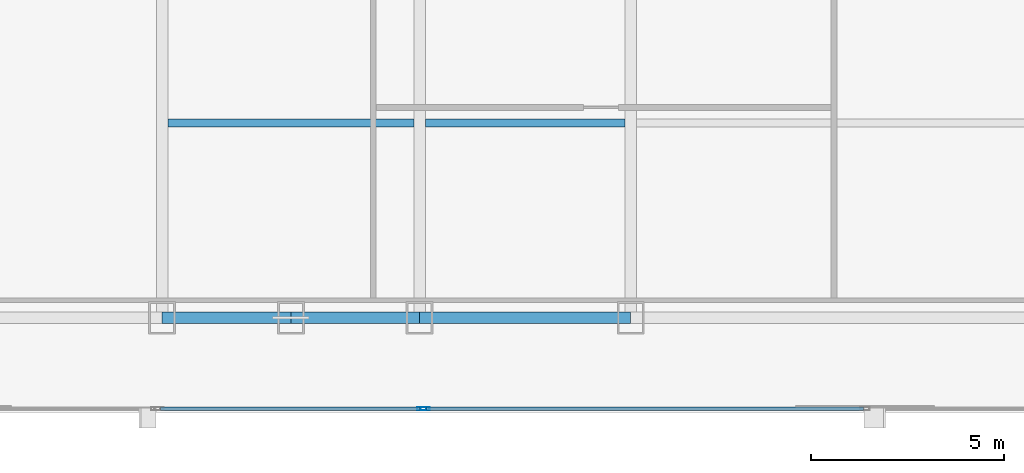
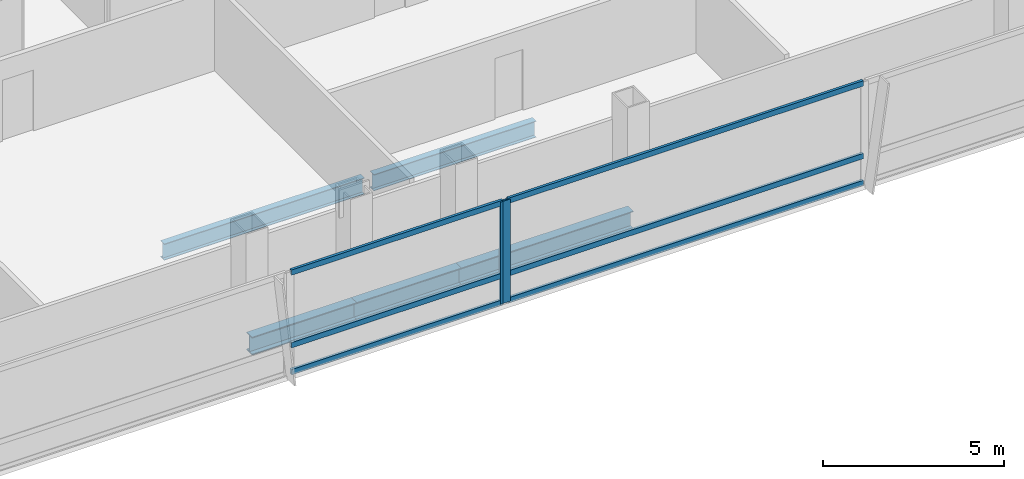
# One storey, part 8 of 32: 8 members, 5 beams, 2 elements without a shape of their own.
"""IFC4 building model written with IfcOpenShell, lengths in metres."""

import ifcopenshell
import ifcopenshell.guid

model = None  # the IFC model being written
_history = None  # IfcOwnerHistory: only IFC2X3 demands one
_inside = {}  # id of a spatial element -> (the spatial element, [elements in it])
_under = {}  # id of a project, library or spatial element -> (it, [spatial elements below it])
_declared = {}  # id of a project -> (the project, [libraries it declares])
_typed = {}  # id of a type object -> (the type object, [elements of that type])
_made_of = {}  # id of a material, layer set ... -> (it, [elements and type objects made of it])


def new_model(schema):
    """Start an empty IFC model of exactly this schema.

    Asked for "IFC4X3", IfcOpenShell would pick the latest addendum, in which some entities
    have other attributes; the version numbers below select the first issue.
    IFC2X3 requires an IfcOwnerHistory on every rooted entity: one is made here for all.
    """
    global model, _history
    if schema == "IFC4X3":
        model = ifcopenshell.file(schema_version=(4, 3, 0, 0))
    else:
        model = ifcopenshell.file(schema=schema)
    _inside.clear()
    _under.clear()
    _declared.clear()
    _typed.clear()
    _made_of.clear()
    _history = None
    if model.schema == "IFC2X3":
        org = make("IfcOrganization", Name="unknown")
        user = make(
            "IfcPersonAndOrganization",
            ThePerson=make("IfcPerson", FamilyName="unknown"),
            TheOrganization=org,
        )
        app = make(
            "IfcApplication",
            ApplicationDeveloper=org,
            Version="unknown",
            ApplicationFullName="unknown",
            ApplicationIdentifier="unknown",
        )
        _history = make(
            "IfcOwnerHistory",
            OwningUser=user,
            OwningApplication=app,
            ChangeAction="ADDED",
            CreationDate=0,
        )
    return model


def make(cls, **values):
    """One entity of the class cls with the attributes given. An attribute that is None is left unset."""
    return model.create_entity(
        cls, **{name: value for name, value in values.items() if value is not None}
    )


def rooted(cls, **values):
    """An entity with a GlobalId (a new one), such as an element, a storey or a relation."""
    return make(cls, GlobalId=ifcopenshell.guid.new(), OwnerHistory=_history, **values)


def si_unit(unit_type, name, prefix=None):
    """IfcSIUnit, for example si_unit("LENGTHUNIT", "METRE", prefix="MILLI")."""
    return make("IfcSIUnit", UnitType=unit_type, Prefix=prefix, Name=name)


def assignment(units):
    """IfcUnitAssignment: the units of a project."""
    return None if units is None else make("IfcUnitAssignment", Units=units)


def point(xyz):
    """IfcCartesianPoint."""
    return None if xyz is None else make("IfcCartesianPoint", Coordinates=xyz)


def direction(xyz):
    """IfcDirection."""
    return None if xyz is None else make("IfcDirection", DirectionRatios=xyz)


def frame(location, z_axis=None, x_axis=None):
    """IfcAxis2Placement3D, a coordinate frame: its origin and axes. An axis left out is left unset."""
    return make(
        "IfcAxis2Placement3D",
        Location=point(location),
        Axis=direction(z_axis),
        RefDirection=direction(x_axis),
    )


def frame_2d(location, x_axis=None):
    """IfcAxis2Placement2D, a coordinate frame in the plane: its origin and x axis."""
    return make(
        "IfcAxis2Placement2D", Location=point(location), RefDirection=direction(x_axis)
    )


def origin():
    """The frame at (0, 0, 0) with its axes left unset."""
    return frame((0.0, 0.0, 0.0))


def origin_2d():
    """The frame at (0, 0) in the plane with its x axis left unset."""
    return frame_2d((0.0, 0.0))


def place(relative_to, where):
    """IfcLocalPlacement: puts the frame where relative to a parent placement (None: the world)."""
    return make(
        "IfcLocalPlacement", PlacementRelTo=relative_to, RelativePlacement=where
    )


def context(
    kind, dimensions, precision=None, world=None, true_north=None, identifier=None
):
    """IfcGeometricRepresentationContext, for example the 3D "Model" context."""
    return make(
        "IfcGeometricRepresentationContext",
        ContextIdentifier=identifier,
        ContextType=kind,
        CoordinateSpaceDimension=dimensions,
        Precision=precision,
        WorldCoordinateSystem=world,
        TrueNorth=true_north,
    )


def subcontext(parent, identifier, kind, view, scale=None):
    """IfcGeometricRepresentationSubContext, for example "Body" below "Model"."""
    return make(
        "IfcGeometricRepresentationSubContext",
        ContextIdentifier=identifier,
        ContextType=kind,
        ParentContext=parent,
        TargetScale=scale,
        TargetView=view,
    )


def project(units=None, contexts=None):
    """IfcProject with its units and contexts."""
    return rooted(
        "IfcProject",
        Name="project",
        RepresentationContexts=contexts,
        UnitsInContext=assignment(units),
    )


def spatial(cls, under=None, at=None, **own):
    """A site, building, storey or space (cls), placed at a placement, below another one or the project."""
    s = rooted(cls, ObjectPlacement=at, **own)
    if under is not None:
        _under.setdefault(under.id(), (under, []))[1].append(s)
    return s


def profile(cls, at=None, kind="AREA", **sizes):
    """A parametric profile (cls). Its sizes go by their IFC names, for example OverallWidth=200.0."""
    return make(cls, ProfileType=kind, Position=at, **sizes)


def hollow_rectangle(**sizes):
    """IfcRectangleHollowProfileDef."""
    return profile("IfcRectangleHollowProfileDef", **sizes)


def i_section(**sizes):
    """IfcIShapeProfileDef."""
    return profile("IfcIShapeProfileDef", **sizes)


def extrude(swept, where, along, depth):
    """IfcExtrudedAreaSolid: the profile swept, set in the frame where, extruded along a direction by depth."""
    return make(
        "IfcExtrudedAreaSolid",
        SweptArea=swept,
        Position=where,
        ExtrudedDirection=direction(along),
        Depth=depth,
    )


def shape(context_of_items, identifier, shape_type, items):
    """IfcShapeRepresentation: the items that make up one representation, for example the "Body"."""
    return make(
        "IfcShapeRepresentation",
        ContextOfItems=context_of_items,
        RepresentationIdentifier=identifier,
        RepresentationType=shape_type,
        Items=items,
    )


def material(Name=None, Category=None):
    """IfcMaterial."""
    return make("IfcMaterial", Name=Name, Category=Category)


def material_profile(
    of_material, cross_section, Name=None, Category=None, Priority=None
):
    """IfcMaterialProfile: a cross section and its material."""
    return make(
        "IfcMaterialProfile",
        Name=Name,
        Material=of_material,
        Profile=cross_section,
        Priority=Priority,
        Category=Category,
    )


def profile_set(profiles, Name=None, composite=None):
    """IfcMaterialProfileSet."""
    return make(
        "IfcMaterialProfileSet",
        Name=Name,
        MaterialProfiles=profiles,
        CompositeProfile=composite,
    )


def made_of(thing, what):
    """Note that an element or type object is made of a material, layer set ...; save() writes the relation."""
    if what is not None:
        _made_of.setdefault(what.id(), (what, []))[1].append(thing)
    return thing


def type_object(cls, material=None, **own):
    """A type object (cls), such as IfcWallType, which elements share."""
    return made_of(rooted(cls, **own), material)


def element(
    cls,
    number,
    at=None,
    inside=None,
    cuts=None,
    type_object=None,
    material=None,
    context=None,
    identifier="Body",
    shape_type=None,
    held_by="IfcProductDefinitionShape",
    body=None,
    shapes=None,
    **own,
):
    """One element of the class cls, such as IfcWall. Its Tag is "e" and its number.

    at: its placement. inside: the storey or other place that contains it. cuts: it is an
    opening in that element (IfcRelVoidsElement). A single representation is given by context,
    identifier, shape_type and body (its items); several are given by shapes. held_by: the class
    of the entity that holds the representations. save() writes the other relations.
    """
    e = rooted(cls, Tag="e%d" % number, ObjectPlacement=at, **own)
    if body is not None:
        shapes = [shape(context, identifier, shape_type, body)]
    if shapes is not None:
        e.Representation = make(held_by, Representations=shapes)
    if inside is not None:
        _inside.setdefault(inside.id(), (inside, []))[1].append(e)
    if cuts is not None:
        rooted(
            "IfcRelVoidsElement", RelatingBuildingElement=cuts, RelatedOpeningElement=e
        )
    if type_object is not None:
        _typed.setdefault(type_object.id(), (type_object, []))[1].append(e)
    return made_of(e, material)


def aggregate(whole, parts):
    """IfcRelAggregates: a whole, such as a stair, and the parts it consists of."""
    return rooted("IfcRelAggregates", RelatingObject=whole, RelatedObjects=parts)


def save(model, path):
    """Write the relations noted so far, then the file.

    IfcRelAggregates (storeys below a building ...), IfcRelContainedInSpatialStructure (elements
    in a storey), IfcRelDefinesByType, IfcRelAssociatesMaterial and IfcRelDeclares: one each for
    every whole, place, type object, material and project.
    """
    for whole, parts in _under.values():
        aggregate(whole, parts)
    for where, things in _inside.values():
        rooted(
            "IfcRelContainedInSpatialStructure",
            RelatedElements=things,
            RelatingStructure=where,
        )
    for kind, things in _typed.values():
        rooted("IfcRelDefinesByType", RelatedObjects=things, RelatingType=kind)
    for what, things in _made_of.values():
        rooted("IfcRelAssociatesMaterial", RelatedObjects=things, RelatingMaterial=what)
    for by, libraries in _declared.values():
        rooted("IfcRelDeclares", RelatingContext=by, RelatedDefinitions=libraries)
    model.write(path)


model = new_model("IFC4")

# Units and contexts
model_context = context("Model", 3, precision=1e-05, world=origin(), true_north=direction((0.0, 1.0)))
body_context = subcontext(model_context, "Body", "Model", "MODEL_VIEW")
ifc_project = project(units=[si_unit("LENGTHUNIT", "METRE"), si_unit("AREAUNIT", "SQUARE_METRE"), si_unit("VOLUMEUNIT", "CUBIC_METRE"), si_unit("PLANEANGLEUNIT", "RADIAN"), si_unit("MASSUNIT", "GRAM", prefix="KILO")], contexts=[model_context])

# Site, building, storey
site_placement = place(None, origin())
site = spatial("IfcSite", under=ifc_project, at=site_placement, CompositionType="ELEMENT")
building_placement = place(site_placement, origin())
building = spatial("IfcBuilding", under=site, at=building_placement, Name="Khoronbel Lancet Exchange", CompositionType="ELEMENT")
storey_placement = place(building_placement, frame((0.0, 0.0, 125.39990234375)))
storey = spatial("IfcBuildingStorey", under=building, at=storey_placement, Name="L30", CompositionType="ELEMENT", Elevation=125.39990234375)

# Beams
ifc_material_1 = material(Name="Steel S355", Category="steel")
ifc_material_profile_1 = material_profile(ifc_material_1, i_section(OverallWidth=0.2099609375, OverallDepth=0.550048828125, WebThickness=0.010986328125, FlangeThickness=0.01708984375, at=origin_2d()), Name="IPE 550")
ifc_profile_set_1 = profile_set([ifc_material_profile_1], Name="Steel S355")
beam_type_1 = type_object("IfcBeamType", Name="BM-BJ2", PredefinedType="JOIST", material=ifc_profile_set_1)
beam_1_placement = place(storey_placement, frame((18.375, 15.199951171875, -0.434814453125), z_axis=(1.0, 0.0, 0.0), x_axis=(0.0, 1.0, 0.0)))
element("IfcBeam", 1, at=beam_1_placement, inside=storey, type_object=beam_type_1, Name="Level L30 secondary composite joist J01", PredefinedType="JOIST", context=body_context, shape_type="SweptSolid", body=[
    extrude(i_section(OverallWidth=0.2099609375, OverallDepth=0.550048828125, WebThickness=0.010986328125, FlangeThickness=0.01708984375, at=origin_2d()), origin(), (0.0, 0.0, 1.0), 6.375),
])
beam_2_placement = place(storey_placement, frame((25.050048828125, 15.199951171875, -0.434814453125), z_axis=(1.0, 0.0, 0.0), x_axis=(0.0, 1.0, 0.0)))
element("IfcBeam", 2, at=beam_2_placement, inside=storey, type_object=beam_type_1, Name="Level L30 secondary composite joist J02", PredefinedType="JOIST", context=body_context, shape_type="SweptSolid", body=[
    extrude(i_section(OverallWidth=0.2099609375, OverallDepth=0.550048828125, WebThickness=0.010986328125, FlangeThickness=0.01708984375, at=origin_2d()), origin(), (0.0, 0.0, 1.0), 5.175048828125),
])
ifc_material_profile_2 = material_profile(ifc_material_1, i_section(OverallWidth=0.300048828125, OverallDepth=0.60009765625, WebThickness=0.015380859375, FlangeThickness=0.030029296875, at=origin_2d()), Name="HEB 600")
ifc_profile_set_2 = profile_set([ifc_material_profile_2], Name="Steel S355")
beam_type_2 = type_object("IfcBeamType", Name="BM-BSP2", PredefinedType="SPANDREL", material=ifc_profile_set_2)
for number, where, z_axis, x_axis, name in (
    (3, (18.22509765625, 10.14990234375, -0.4599609375), (1.0, 0.0, 0.0), (0.0, 1.0, 0.0), "Level L30 perimeter spandrel beam SP02"),
    (4, (21.5625, 10.14990234375, -0.4599609375), (1.0, 0.0, 0.0), (0.0, 1.0, 0.0), "Level L30 perimeter spandrel beam SP03"),
):
    element("IfcBeam", number, at=place(storey_placement, frame(where, z_axis=z_axis, x_axis=x_axis)), inside=storey, type_object=beam_type_2, Name=name, PredefinedType="SPANDREL", context=body_context, shape_type="SweptSolid", body=[
        extrude(i_section(OverallWidth=0.300048828125, OverallDepth=0.60009765625, WebThickness=0.015380859375, FlangeThickness=0.030029296875, at=origin_2d()), origin(), (0.0, 0.0, 1.0), 3.33740234375),
    ])
beam_3_placement = place(storey_placement, frame((24.89990234375, 10.14990234375, -0.4599609375), z_axis=(1.0, 0.0, 0.0), x_axis=(0.0, 1.0, 0.0)))
element("IfcBeam", 5, at=beam_3_placement, inside=storey, type_object=beam_type_2, Name="Level L30 perimeter spandrel beam SP04", PredefinedType="SPANDREL", context=body_context, shape_type="SweptSolid", body=[
    extrude(i_section(OverallWidth=0.300048828125, OverallDepth=0.60009765625, WebThickness=0.015380859375, FlangeThickness=0.030029296875, at=origin_2d()), origin(), (0.0, 0.0, 1.0), 5.47509765625),
])

# Curtain wall, member
ifc_material_2 = material(Name="Low-E Solar Control Insulating Glass", Category="glass")
curtain_wall_type = type_object("IfcCurtainWallType", Name="CW-2", PredefinedType="NOTDEFINED", material=ifc_material_2)
curtain_wall_1_placement = place(storey_placement, origin())
curtain_wall_1 = element("IfcCurtainWall", 6, at=curtain_wall_1_placement, inside=storey, type_object=curtain_wall_type, Name="Unitised curtain wall CW-L30-SWB", PredefinedType="NOTDEFINED")
ifc_material_3 = material(Name="Bronze-Anodised Aluminium 6063-T6", Category="aluminium")
ifc_material_profile_3 = material_profile(ifc_material_3, hollow_rectangle(XDim=0.0849609375, YDim=0.239990234375, WallThickness=0.006103515625, at=origin_2d()), Name="ALU MULLION 85x240")
ifc_profile_set_3 = profile_set([ifc_material_profile_3], Name="Bronze-Anodised Aluminium 6063-T6")
member_type_1 = type_object("IfcMemberType", Name="MEM-CWM1", PredefinedType="MULLION", material=ifc_profile_set_3)
member_1_placement = place(storey_placement, frame((24.95751953125, 7.7900390625, 0.0), z_axis=(0.0, 0.0, 1.0), x_axis=(0.0, 1.0, 0.0)))
member_1 = element("IfcMember", 7, at=member_1_placement, type_object=member_type_1, Name="CW2 mullion 2", PredefinedType="MULLION", context=body_context, shape_type="SweptSolid", body=[
    extrude(hollow_rectangle(XDim=0.0849609375, YDim=0.239990234375, WallThickness=0.006103515625, at=origin_2d()), origin(), (0.0, 0.0, 1.0), 3.440185546875),
])

curtain_wall_2_placement = place(storey_placement, origin())
curtain_wall_2 = element("IfcCurtainWall", 8, at=curtain_wall_2_placement, inside=storey, type_object=curtain_wall_type, Name="Unitised curtain wall CW-L30-SCV", PredefinedType="NOTDEFINED")
member_2_placement = place(storey_placement, frame((25.04248046875, 7.7900390625, 0.0), z_axis=(0.0, 0.0, 1.0), x_axis=(0.0, 1.0, 0.0)))
member_2 = element("IfcMember", 9, at=member_2_placement, type_object=member_type_1, Name="CW2 mullion 1", PredefinedType="MULLION", context=body_context, shape_type="SweptSolid", body=[
    extrude(hollow_rectangle(XDim=0.0849609375, YDim=0.239990234375, WallThickness=0.006103515625, at=origin_2d()), origin(), (0.0, 0.0, 1.0), 3.440185546875),
])

# Member
ifc_material_profile_4 = material_profile(ifc_material_3, hollow_rectangle(XDim=0.0849609375, YDim=0.179931640625, WallThickness=0.0048828125, at=origin_2d()), Name="ALU TRANSOM 85x180")
ifc_profile_set_4 = profile_set([ifc_material_profile_4], Name="Bronze-Anodised Aluminium 6063-T6")
member_type_2 = type_object("IfcMemberType", Name="MEM-CWT1", PredefinedType="USERDEFINED", material=ifc_profile_set_4)
member_3_placement = place(storey_placement, frame((18.18505859375, 7.7900390625, 0.04248046875), z_axis=(1.0, 0.0, 0.0), x_axis=(0.0, 1.0, 0.0)))
member_3 = element("IfcMember", 10, at=member_3_placement, type_object=member_type_2, Name="CW2 transom 1.1", ObjectType="TRANSOM", PredefinedType="USERDEFINED", context=body_context, shape_type="SweptSolid", body=[
    extrude(hollow_rectangle(XDim=0.0849609375, YDim=0.179931640625, WallThickness=0.0048828125, at=origin_2d()), origin(), (0.0, 0.0, 1.0), 6.72998046875),
])

member_4_placement = place(storey_placement, frame((18.18505859375, 7.7900390625, 0.9501953125), z_axis=(1.0, 0.0, 0.0), x_axis=(0.0, 1.0, 0.0)))
member_4 = element("IfcMember", 11, at=member_4_placement, type_object=member_type_2, Name="CW2 transom 1.2", ObjectType="TRANSOM", PredefinedType="USERDEFINED", context=body_context, shape_type="SweptSolid", body=[
    extrude(hollow_rectangle(XDim=0.0849609375, YDim=0.179931640625, WallThickness=0.0048828125, at=origin_2d()), origin(), (0.0, 0.0, 1.0), 6.72998046875),
])

member_5_placement = place(storey_placement, frame((18.18505859375, 7.7900390625, 3.397705078125), z_axis=(1.0, 0.0, 0.0), x_axis=(0.0, 1.0, 0.0)))
member_5 = element("IfcMember", 12, at=member_5_placement, type_object=member_type_2, Name="CW2 transom 1.3", ObjectType="TRANSOM", PredefinedType="USERDEFINED", context=body_context, shape_type="SweptSolid", body=[
    extrude(hollow_rectangle(XDim=0.0849609375, YDim=0.179931640625, WallThickness=0.0048828125, at=origin_2d()), origin(), (0.0, 0.0, 1.0), 6.72998046875),
])

aggregate(curtain_wall_1, [member_1, member_3, member_4, member_5])

member_6_placement = place(storey_placement, frame((25.0849609375, 7.7900390625, 0.04248046875), z_axis=(1.0, 0.0, 0.0), x_axis=(0.0, 1.0, 0.0)))
member_6 = element("IfcMember", 13, at=member_6_placement, type_object=member_type_2, Name="CW2 transom 1.1", ObjectType="TRANSOM", PredefinedType="USERDEFINED", context=body_context, shape_type="SweptSolid", body=[
    extrude(hollow_rectangle(XDim=0.0849609375, YDim=0.179931640625, WallThickness=0.0048828125, at=origin_2d()), origin(), (0.0, 0.0, 1.0), 11.322509765625),
])

member_7_placement = place(storey_placement, frame((25.0849609375, 7.7900390625, 0.9501953125), z_axis=(1.0, 0.0, 0.0), x_axis=(0.0, 1.0, 0.0)))
member_7 = element("IfcMember", 14, at=member_7_placement, type_object=member_type_2, Name="CW2 transom 1.2", ObjectType="TRANSOM", PredefinedType="USERDEFINED", context=body_context, shape_type="SweptSolid", body=[
    extrude(hollow_rectangle(XDim=0.0849609375, YDim=0.179931640625, WallThickness=0.0048828125, at=origin_2d()), origin(), (0.0, 0.0, 1.0), 11.322509765625),
])

member_8_placement = place(storey_placement, frame((25.0849609375, 7.7900390625, 3.397705078125), z_axis=(1.0, 0.0, 0.0), x_axis=(0.0, 1.0, 0.0)))
member_8 = element("IfcMember", 15, at=member_8_placement, type_object=member_type_2, Name="CW2 transom 1.3", ObjectType="TRANSOM", PredefinedType="USERDEFINED", context=body_context, shape_type="SweptSolid", body=[
    extrude(hollow_rectangle(XDim=0.0849609375, YDim=0.179931640625, WallThickness=0.0048828125, at=origin_2d()), origin(), (0.0, 0.0, 1.0), 11.322509765625),
])

aggregate(curtain_wall_2, [member_2, member_6, member_7, member_8])

save(model, "model.ifc")
